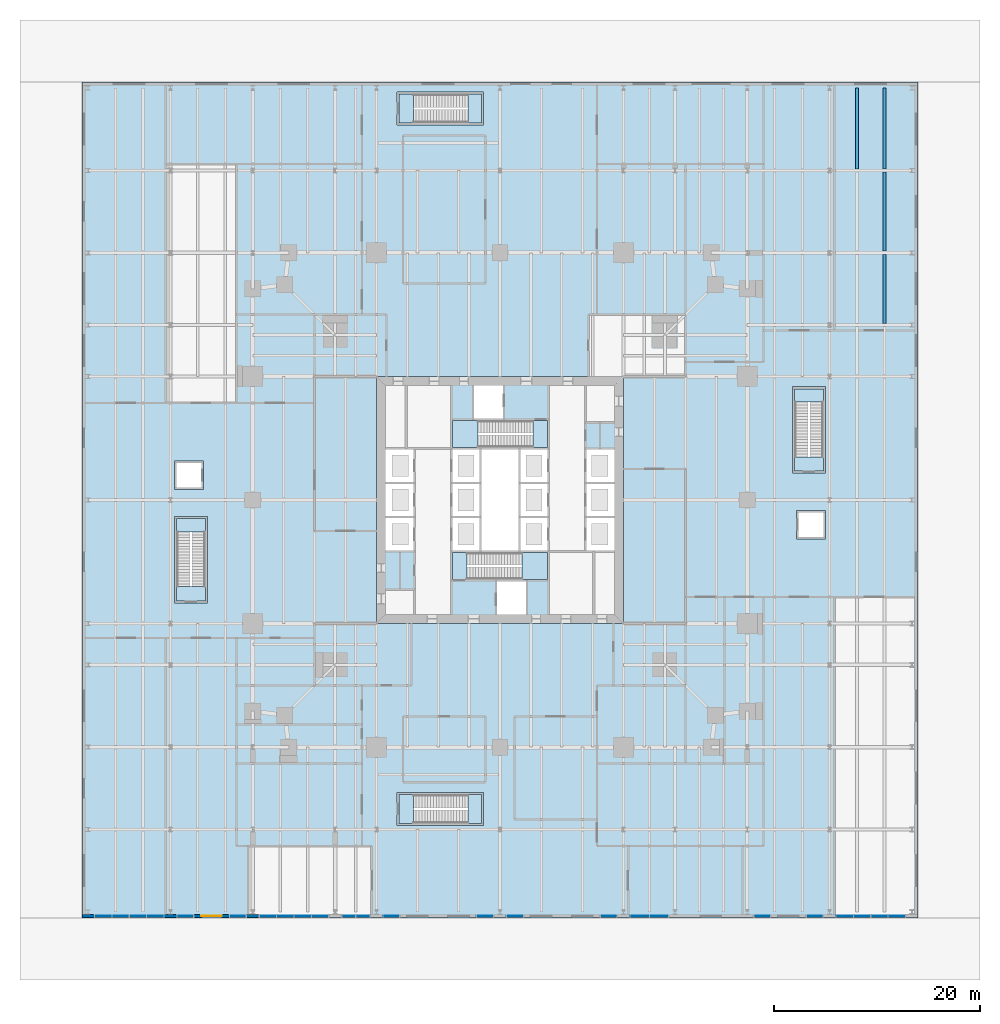
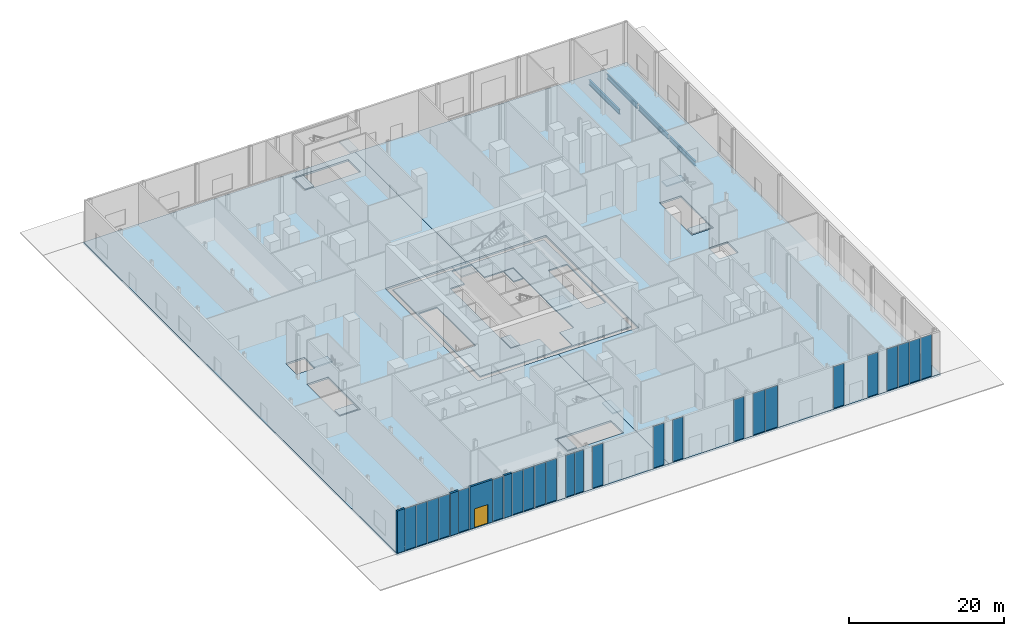
# One storey, part 10 of 20: 24 plates, 15 slabs, 4 beams, 4 walls, 1 door, 1 opening, 19 elements without a shape of their own.
"""IFC4 building model written with IfcOpenShell, lengths in metres."""

from ifc_helpers import new_model, si_unit, direction, frame, frame_2d, origin, origin_2d, place, context, subcontext, project, spatial, polyline, rectangle, i_section, outline, extrude, material, layer, layer_set, material_profile, profile_set, type_object, element, fill, aggregate, save


model = new_model("IFC4")

# Units and contexts
model_context = context("Model", 3, precision=1e-05, world=origin(), true_north=direction((0.0, 1.0)))
body_context = subcontext(model_context, "Body", "Model", "MODEL_VIEW")
ifc_project = project(units=[si_unit("LENGTHUNIT", "METRE"), si_unit("AREAUNIT", "SQUARE_METRE"), si_unit("VOLUMEUNIT", "CUBIC_METRE"), si_unit("PLANEANGLEUNIT", "RADIAN"), si_unit("MASSUNIT", "GRAM", prefix="KILO")], contexts=[model_context])

# Site, building, storey
site_placement = place(None, origin())
site = spatial("IfcSite", under=ifc_project, at=site_placement, CompositionType="ELEMENT")
building_placement = place(site_placement, origin())
building = spatial("IfcBuilding", under=site, at=building_placement, Name="Fenwick Lantern Interchange", CompositionType="ELEMENT")
storey_placement = place(building_placement, origin())
storey = spatial("IfcBuildingStorey", under=building, at=storey_placement, Name="L00", CompositionType="ELEMENT", Elevation=0.0)

# Beams
ifc_material_1 = material(Name="Steel ASTM A992 Grade 50", Category="steel")
ifc_material_profile = material_profile(ifc_material_1, i_section(OverallWidth=0.2666015625, OverallDepth=0.77978515625, WebThickness=0.0166015625, FlangeThickness=0.030029296875, at=origin_2d()), Name="W30X148")
ifc_profile_set = profile_set([ifc_material_profile], Name="Steel ASTM A992 Grade 50")
beam_type = type_object("IfcBeamType", Name="PODIUM BEAM W30X148", PredefinedType="JOIST", material=ifc_profile_set)
beam_1_placement = place(storey_placement, frame((62.333251953125, 42.15234375, -0.68994140625), z_axis=(0.0, 1.0, 0.0), x_axis=(-1.0, 0.0, 0.0)))
element("IfcBeam", 1, at=beam_1_placement, inside=storey, type_object=beam_type, Name="L00/PF/J214", PredefinedType="JOIST", context=body_context, shape_type="SweptSolid", body=[
    extrude(i_section(OverallWidth=0.2666015625, OverallDepth=0.77978515625, WebThickness=0.0166015625, FlangeThickness=0.030029296875, at=origin_2d()), origin(), (0.0, 0.0, 1.0), 6.6953125),
])
beam_2_placement = place(storey_placement, frame((62.333251953125, 49.15234375, -0.68994140625), z_axis=(0.0, 1.0, 0.0), x_axis=(-1.0, 0.0, 0.0)))
element("IfcBeam", 2, at=beam_2_placement, inside=storey, type_object=beam_type, Name="L00/PF/J216", PredefinedType="JOIST", context=body_context, shape_type="SweptSolid", body=[
    extrude(i_section(OverallWidth=0.2666015625, OverallDepth=0.77978515625, WebThickness=0.0166015625, FlangeThickness=0.030029296875, at=origin_2d()), origin(), (0.0, 0.0, 1.0), 7.6953125),
])
for number, where, z_axis, x_axis, name in (
    (3, (59.666748046875, 57.15234375, -0.68994140625), (0.0, 1.0, 0.0), (-1.0, 0.0, 0.0), "L00/PF/J217"),
    (4, (62.333251953125, 57.15234375, -0.68994140625), (0.0, 1.0, 0.0), (-1.0, 0.0, 0.0), "L00/PF/J218"),
):
    element("IfcBeam", number, at=place(storey_placement, frame(where, z_axis=z_axis, x_axis=x_axis)), inside=storey, type_object=beam_type, Name=name, PredefinedType="JOIST", context=body_context, shape_type="SweptSolid", body=[
        extrude(i_section(OverallWidth=0.2666015625, OverallDepth=0.77978515625, WebThickness=0.0166015625, FlangeThickness=0.030029296875, at=origin_2d()), origin(), (0.0, 0.0, 1.0), 7.84765625),
    ])

# Slabs
ifc_material_2 = material(Name="Concrete f'c 35 MPa", Category="concrete")
ifc_layer_1 = layer(ifc_material_2, 0.300048828125)
ifc_layer_set_1 = layer_set([ifc_layer_1], Name="Concrete f'c 35 MPa")
slab_type_1 = type_object("IfcSlabType", Name="CONCOURSE DECK 300", PredefinedType="FLOOR", material=ifc_layer_set_1)
slab_1_placement = place(storey_placement, frame((0.0, 0.0, -0.300048828125)))
element("IfcSlab", 5, at=slab_1_placement, inside=storey, type_object=slab_type_1, Name="L00/SLAB/FW", PredefinedType="FLOOR", context=body_context, shape_type="SweptSolid", body=[
    extrude(outline(polyline([(-15.60009765625, -15.60009765625), (-15.60009765625, 65.60009765625), (25.0, 65.60009765625), (25.0, 37.0), (13.0, 37.0), (13.0, 13.0), (25.0, 13.0), (25.0, -15.60009765625), (-15.60009765625, -15.60009765625)]), holes=[polyline([(23.39990234375, 61.39990234375), (23.39990234375, 64.60009765625), (15.0, 64.60009765625), (15.0, 61.39990234375), (23.39990234375, 61.39990234375)]), polyline([(23.39990234375, -6.60009765625), (23.39990234375, -3.39990234375), (15.0, -3.39990234375), (15.0, -6.60009765625), (23.39990234375, -6.60009765625)]), polyline([(-3.39990234375, 15.0), (-3.39990234375, 23.39990234375), (-6.60009765625, 23.39990234375), (-6.60009765625, 15.0), (-3.39990234375, 15.0)]), polyline([(-3.800048828125, 26.0), (-3.800048828125, 28.800048828125), (-6.60009765625, 28.800048828125), (-6.60009765625, 26.0), (-3.800048828125, 26.0)])]), origin(), (0.0, 0.0, 1.0), 0.300048828125),
])
slab_2_placement = place(storey_placement, frame((0.0, 0.0, -0.300048828125)))
element("IfcSlab", 6, at=slab_2_placement, inside=storey, type_object=slab_type_1, Name="L00/SLAB/FE", PredefinedType="FLOOR", context=body_context, shape_type="SweptSolid", body=[
    extrude(outline(polyline([(65.60009765625, 65.60009765625), (65.60009765625, -15.60009765625), (25.0, -15.60009765625), (25.0, 13.0), (37.0, 13.0), (37.0, 37.0), (25.0, 37.0), (25.0, 65.60009765625), (65.60009765625, 65.60009765625)]), holes=[polyline([(56.60009765625, 27.60009765625), (56.60009765625, 36.0), (53.39990234375, 36.0), (53.39990234375, 27.60009765625), (56.60009765625, 27.60009765625)]), polyline([(56.60009765625, 21.199951171875), (56.60009765625, 24.0), (53.800048828125, 24.0), (53.800048828125, 21.199951171875), (56.60009765625, 21.199951171875)])]), origin(), (0.0, 0.0, 1.0), 0.300048828125),
])
ifc_material_3 = material(Name="Concrete f'c 35 MPa", Category="concrete")
ifc_layer_2 = layer(ifc_material_3, 0.199951171875)
ifc_layer_set_2 = layer_set([ifc_layer_2], Name="CORE FLOOR SLAB 200")
slab_type_2 = type_object("IfcSlabType", Name="CORE FLOOR SLAB 200", PredefinedType="FLOOR", material=ifc_layer_set_2)
slab_3_placement = place(storey_placement, frame((0.0, 0.0, -0.199951171875)))
element("IfcSlab", 7, at=slab_3_placement, inside=storey, type_object=slab_type_2, Name="L00/SLAB/CORE", PredefinedType="FLOOR", context=body_context, shape_type="SweptSolid", body=[
    extrude(outline(polyline([(13.699951171875, 36.300048828125), (36.300048828125, 36.300048828125), (36.300048828125, 13.699951171875), (13.699951171875, 13.699951171875), (13.699951171875, 36.300048828125)]), holes=[polyline([(13.89990234375, 20.0), (16.699951171875, 20.0), (16.699951171875, 23.333251953125), (16.699951171875, 26.666748046875), (16.699951171875, 30.0), (13.89990234375, 30.0), (13.89990234375, 26.666748046875), (13.89990234375, 23.333251953125), (13.89990234375, 20.0)]), polyline([(20.300048828125, 20.0), (20.300048828125, 17.199951171875), (24.60009765625, 17.199951171875), (24.60009765625, 13.89990234375), (27.60009765625, 13.89990234375), (27.60009765625, 17.199951171875), (29.699951171875, 17.199951171875), (29.699951171875, 20.0), (29.699951171875, 23.333251953125), (29.699951171875, 26.666748046875), (29.699951171875, 30.0), (29.699951171875, 32.800048828125), (25.39990234375, 32.800048828125), (25.39990234375, 36.10009765625), (22.39990234375, 36.10009765625), (22.39990234375, 32.800048828125), (20.300048828125, 32.800048828125), (20.300048828125, 30.0), (20.300048828125, 26.666748046875), (20.300048828125, 23.333251953125), (20.300048828125, 20.0)]), polyline([(33.300048828125, 23.333251953125), (33.300048828125, 20.0), (36.10009765625, 20.0), (36.10009765625, 23.333251953125), (36.10009765625, 26.666748046875), (36.10009765625, 30.0), (33.300048828125, 30.0), (33.300048828125, 26.666748046875), (33.300048828125, 23.333251953125)])]), origin(), (0.0, 0.0, 1.0), 0.199951171875),
])

# Stair, slabs
ifc_material_4 = material(Name="Precast concrete f'c 35 MPa", Category="concrete")
stair_type_1 = type_object("IfcStairType", Name="EXIT STAIR 1200", PredefinedType="HALF_TURN_STAIR", material=ifc_material_4)
stair_1_placement = place(storey_placement, origin())
stair_1 = element("IfcStair", 8, at=stair_1_placement, inside=storey, type_object=stair_type_1, Name="Exit stair ST1", PredefinedType="HALF_TURN_STAIR")
ifc_layer_3 = layer(ifc_material_3, 0.199951171875)
ifc_layer_set_3 = layer_set([ifc_layer_3], Name="STAIR LANDING 200")
slab_type_3 = type_object("IfcSlabType", Name="STAIR LANDING 200", PredefinedType="LANDING", material=ifc_layer_set_3)
slab_4_placement = place(storey_placement, frame((0.0, 0.0, 3.300048828125)))
slab_4 = element("IfcSlab", 9, at=slab_4_placement, type_object=slab_type_3, Name="ST1 landing 1", PredefinedType="LANDING", context=body_context, shape_type="SweptSolid", body=[
    extrude(outline(polyline([(27.1201171875, 17.300048828125), (29.60009765625, 17.300048828125), (29.60009765625, 19.89990234375), (27.1201171875, 19.89990234375), (27.1201171875, 17.300048828125)])), origin(), (0.0, 0.0, 1.0), 0.199951171875),
])
slab_5_placement = place(storey_placement, frame((0.0, 0.0, -0.199951171875)))
slab_5 = element("IfcSlab", 10, at=slab_5_placement, type_object=slab_type_3, Name="ST1 landing 2", PredefinedType="LANDING", context=body_context, shape_type="SweptSolid", body=[
    extrude(outline(polyline([(20.39990234375, 17.300048828125), (21.800048828125, 17.300048828125), (21.800048828125, 19.89990234375), (20.39990234375, 19.89990234375), (20.39990234375, 17.300048828125)])), origin(), (0.0, 0.0, 1.0), 0.199951171875),
])
aggregate(stair_1, [slab_4, slab_5])

stair_2_placement = place(storey_placement, origin())
stair_2 = element("IfcStair", 11, at=stair_2_placement, inside=storey, type_object=stair_type_1, Name="Exit stair ST2", PredefinedType="HALF_TURN_STAIR")
slab_6_placement = place(storey_placement, frame((0.0, 0.0, 3.300048828125)))
slab_6 = element("IfcSlab", 12, at=slab_6_placement, type_object=slab_type_3, Name="ST2 landing 1", PredefinedType="LANDING", context=body_context, shape_type="SweptSolid", body=[
    extrude(outline(polyline([(22.8798828125, 32.699951171875), (20.39990234375, 32.699951171875), (20.39990234375, 30.10009765625), (22.8798828125, 30.10009765625), (22.8798828125, 32.699951171875)])), origin(), (0.0, 0.0, 1.0), 0.199951171875),
])
slab_7_placement = place(storey_placement, frame((0.0, 0.0, -0.199951171875)))
slab_7 = element("IfcSlab", 13, at=slab_7_placement, type_object=slab_type_3, Name="ST2 landing 2", PredefinedType="LANDING", context=body_context, shape_type="SweptSolid", body=[
    extrude(outline(polyline([(29.60009765625, 32.699951171875), (28.199951171875, 32.699951171875), (28.199951171875, 30.10009765625), (29.60009765625, 30.10009765625), (29.60009765625, 32.699951171875)])), origin(), (0.0, 0.0, 1.0), 0.199951171875),
])
aggregate(stair_2, [slab_6, slab_7])

stair_type_2 = type_object("IfcStairType", Name="EXIT STAIR 1300", PredefinedType="HALF_TURN_STAIR", material=ifc_material_4)
stair_3_placement = place(storey_placement, origin())
stair_3 = element("IfcStair", 14, at=stair_3_placement, inside=storey, type_object=stair_type_2, Name="Exit stair PS1", PredefinedType="HALF_TURN_STAIR")
slab_8_placement = place(storey_placement, frame((0.0, 0.0, 3.300048828125)))
slab_8 = element("IfcSlab", 15, at=slab_8_placement, type_object=slab_type_3, Name="PS1 landing 1", PredefinedType="LANDING", context=body_context, shape_type="SweptSolid", body=[
    extrude(outline(polyline([(21.89990234375, 61.60009765625), (23.199951171875, 61.60009765625), (23.199951171875, 64.39990234375), (21.89990234375, 64.39990234375), (21.89990234375, 61.60009765625)])), origin(), (0.0, 0.0, 1.0), 0.199951171875),
])
slab_9_placement = place(storey_placement, frame((0.0, 0.0, -0.199951171875)))
slab_9 = element("IfcSlab", 16, at=slab_9_placement, type_object=slab_type_3, Name="PS1 landing 2", PredefinedType="LANDING", context=body_context, shape_type="SweptSolid", body=[
    extrude(outline(polyline([(15.199951171875, 61.60009765625), (16.580078125, 61.60009765625), (16.580078125, 64.39990234375), (15.199951171875, 64.39990234375), (15.199951171875, 61.60009765625)])), origin(), (0.0, 0.0, 1.0), 0.199951171875),
])
aggregate(stair_3, [slab_8, slab_9])

stair_4_placement = place(storey_placement, origin())
stair_4 = element("IfcStair", 17, at=stair_4_placement, inside=storey, type_object=stair_type_2, Name="Exit stair PS2", PredefinedType="HALF_TURN_STAIR")
slab_10_placement = place(storey_placement, frame((0.0, 0.0, 3.300048828125)))
slab_10 = element("IfcSlab", 18, at=slab_10_placement, type_object=slab_type_3, Name="PS2 landing 1", PredefinedType="LANDING", context=body_context, shape_type="SweptSolid", body=[
    extrude(outline(polyline([(21.89990234375, -6.39990234375), (23.199951171875, -6.39990234375), (23.199951171875, -3.60009765625), (21.89990234375, -3.60009765625), (21.89990234375, -6.39990234375)])), origin(), (0.0, 0.0, 1.0), 0.199951171875),
])
slab_11_placement = place(storey_placement, frame((0.0, 0.0, -0.199951171875)))
slab_11 = element("IfcSlab", 19, at=slab_11_placement, type_object=slab_type_3, Name="PS2 landing 2", PredefinedType="LANDING", context=body_context, shape_type="SweptSolid", body=[
    extrude(outline(polyline([(15.199951171875, -6.39990234375), (16.580078125, -6.39990234375), (16.580078125, -3.60009765625), (15.199951171875, -3.60009765625), (15.199951171875, -6.39990234375)])), origin(), (0.0, 0.0, 1.0), 0.199951171875),
])
aggregate(stair_4, [slab_10, slab_11])

stair_5_placement = place(storey_placement, origin())
stair_5 = element("IfcStair", 20, at=stair_5_placement, inside=storey, type_object=stair_type_2, Name="Exit stair PS3", PredefinedType="HALF_TURN_STAIR")
slab_12_placement = place(storey_placement, frame((0.0, 0.0, 3.300048828125)))
slab_12 = element("IfcSlab", 21, at=slab_12_placement, type_object=slab_type_3, Name="PS3 landing 1", PredefinedType="LANDING", context=body_context, shape_type="SweptSolid", body=[
    extrude(outline(polyline([(-6.39990234375, 21.89990234375), (-3.60009765625, 21.89990234375), (-3.60009765625, 23.199951171875), (-6.39990234375, 23.199951171875), (-6.39990234375, 21.89990234375)])), origin(), (0.0, 0.0, 1.0), 0.199951171875),
])
slab_13_placement = place(storey_placement, frame((0.0, 0.0, -0.199951171875)))
slab_13 = element("IfcSlab", 22, at=slab_13_placement, type_object=slab_type_3, Name="PS3 landing 2", PredefinedType="LANDING", context=body_context, shape_type="SweptSolid", body=[
    extrude(outline(polyline([(-6.39990234375, 15.199951171875), (-3.60009765625, 15.199951171875), (-3.60009765625, 16.580078125), (-6.39990234375, 16.580078125), (-6.39990234375, 15.199951171875)])), origin(), (0.0, 0.0, 1.0), 0.199951171875),
])
aggregate(stair_5, [slab_12, slab_13])

stair_6_placement = place(storey_placement, origin())
stair_6 = element("IfcStair", 23, at=stair_6_placement, inside=storey, type_object=stair_type_2, Name="Exit stair PS4", PredefinedType="HALF_TURN_STAIR")
slab_14_placement = place(storey_placement, frame((0.0, 0.0, 3.300048828125)))
slab_14 = element("IfcSlab", 24, at=slab_14_placement, type_object=slab_type_3, Name="PS4 landing 1", PredefinedType="LANDING", context=body_context, shape_type="SweptSolid", body=[
    extrude(outline(polyline([(53.60009765625, 34.5), (56.39990234375, 34.5), (56.39990234375, 35.800048828125), (53.60009765625, 35.800048828125), (53.60009765625, 34.5)])), origin(), (0.0, 0.0, 1.0), 0.199951171875),
])
slab_15_placement = place(storey_placement, frame((0.0, 0.0, -0.199951171875)))
slab_15 = element("IfcSlab", 25, at=slab_15_placement, type_object=slab_type_3, Name="PS4 landing 2", PredefinedType="LANDING", context=body_context, shape_type="SweptSolid", body=[
    extrude(outline(polyline([(53.60009765625, 27.800048828125), (56.39990234375, 27.800048828125), (56.39990234375, 29.179931640625), (53.60009765625, 29.179931640625), (53.60009765625, 27.800048828125)])), origin(), (0.0, 0.0, 1.0), 0.199951171875),
])
aggregate(stair_6, [slab_14, slab_15])

# Curtain wall, plates
ifc_material_5 = material(Name="Aluminium curtain wall frame", Category="aluminium")
curtain_wall_type = type_object("IfcCurtainWallType", Name="STOREFRONT GLAZING", PredefinedType="USERDEFINED", material=ifc_material_5)
curtain_wall_1_placement = place(storey_placement, origin())
curtain_wall_1 = element("IfcCurtainWall", 26, at=curtain_wall_1_placement, inside=storey, type_object=curtain_wall_type, Name="Storefront glazing S01", ObjectType="STOREFRONT GLAZING", PredefinedType="USERDEFINED")
ifc_material_6 = material(Name="Storefront glass, clear laminated double glazed unit", Category="glass")
ifc_layer_4 = layer(ifc_material_6, 0.0439453125)
ifc_layer_set_4 = layer_set([ifc_layer_4], Name="STOREFRONT GLAZING PANEL 44")
plate_type = type_object("IfcPlateType", Name="STOREFRONT GLAZING PANEL 44", PredefinedType="CURTAIN_PANEL", material=ifc_layer_set_4)
plate_1_placement = place(storey_placement, frame((-13.525634765625, -15.39990234375, 0.0), z_axis=(0.0, 0.0, 1.0), x_axis=(1.0, 0.0, 0.0)))
plate_1 = element("IfcPlate", 27, at=plate_1_placement, type_object=plate_type, Name="L00/CW/S01/P00", PredefinedType="CURTAIN_PANEL", context=body_context, shape_type="SweptSolid", body=[
    extrude(rectangle(XDim=1.61865234375, YDim=0.0439453125, at=origin_2d()), origin(), (0.0, 0.0, 1.0), 6.580078125),
])
plate_2_placement = place(storey_placement, frame((-11.841796875, -15.39990234375, 0.0), z_axis=(0.0, 0.0, 1.0), x_axis=(1.0, 0.0, 0.0)))
plate_2 = element("IfcPlate", 28, at=plate_2_placement, type_object=plate_type, Name="L00/CW/S01/P01", PredefinedType="CURTAIN_PANEL", context=body_context, shape_type="SweptSolid", body=[
    extrude(rectangle(XDim=1.61865234375, YDim=0.0439453125, at=origin_2d()), origin(), (0.0, 0.0, 1.0), 6.580078125),
])
plate_3_placement = place(storey_placement, frame((-10.158203125, -15.39990234375, 0.0), z_axis=(0.0, 0.0, 1.0), x_axis=(1.0, 0.0, 0.0)))
plate_3 = element("IfcPlate", 29, at=plate_3_placement, type_object=plate_type, Name="L00/CW/S01/P02", PredefinedType="CURTAIN_PANEL", context=body_context, shape_type="SweptSolid", body=[
    extrude(rectangle(XDim=1.61865234375, YDim=0.0439453125, at=origin_2d()), origin(), (0.0, 0.0, 1.0), 6.580078125),
])
plate_4_placement = place(storey_placement, frame((-8.474365234375, -15.39990234375, 0.0), z_axis=(0.0, 0.0, 1.0), x_axis=(1.0, 0.0, 0.0)))
plate_4 = element("IfcPlate", 30, at=plate_4_placement, type_object=plate_type, Name="L00/CW/S01/P03", PredefinedType="CURTAIN_PANEL", context=body_context, shape_type="SweptSolid", body=[
    extrude(rectangle(XDim=1.61865234375, YDim=0.0439453125, at=origin_2d()), origin(), (0.0, 0.0, 1.0), 6.580078125),
])
aggregate(curtain_wall_1, [plate_1, plate_2, plate_3, plate_4])

# Curtain wall, plate
curtain_wall_2_placement = place(storey_placement, origin())
curtain_wall_2 = element("IfcCurtainWall", 31, at=curtain_wall_2_placement, inside=storey, type_object=curtain_wall_type, Name="Storefront glazing S02", ObjectType="STOREFRONT GLAZING", PredefinedType="USERDEFINED")
plate_5_placement = place(storey_placement, frame((-5.550048828125, -15.39990234375, 0.0), z_axis=(0.0, 0.0, 1.0), x_axis=(1.0, 0.0, 0.0)))
plate_5 = element("IfcPlate", 32, at=plate_5_placement, type_object=plate_type, Name="L00/CW/S02/P00", PredefinedType="CURTAIN_PANEL", context=body_context, shape_type="SweptSolid", body=[
    extrude(rectangle(XDim=1.570068359375, YDim=0.0439453125, at=origin_2d()), origin(), (0.0, 0.0, 1.0), 6.580078125),
])
aggregate(curtain_wall_2, [plate_5])

curtain_wall_3_placement = place(storey_placement, origin())
curtain_wall_3 = element("IfcCurtainWall", 33, at=curtain_wall_3_placement, inside=storey, type_object=curtain_wall_type, Name="Storefront glazing S03", ObjectType="STOREFRONT GLAZING", PredefinedType="USERDEFINED")
plate_6_placement = place(storey_placement, frame((-0.449951171875, -15.39990234375, 0.0), z_axis=(0.0, 0.0, 1.0), x_axis=(1.0, 0.0, 0.0)))
plate_6 = element("IfcPlate", 34, at=plate_6_placement, type_object=plate_type, Name="L00/CW/S03/P00", PredefinedType="CURTAIN_PANEL", context=body_context, shape_type="SweptSolid", body=[
    extrude(rectangle(XDim=1.570068359375, YDim=0.0439453125, at=origin_2d()), origin(), (0.0, 0.0, 1.0), 6.580078125),
])
aggregate(curtain_wall_3, [plate_6])

# Curtain wall, plates
curtain_wall_4_placement = place(storey_placement, origin())
curtain_wall_4 = element("IfcCurtainWall", 35, at=curtain_wall_4_placement, inside=storey, type_object=curtain_wall_type, Name="Storefront glazing S04", ObjectType="STOREFRONT GLAZING", PredefinedType="USERDEFINED")
plate_7_placement = place(storey_placement, frame((2.474365234375, -15.39990234375, 0.0), z_axis=(0.0, 0.0, 1.0), x_axis=(1.0, 0.0, 0.0)))
plate_7 = element("IfcPlate", 36, at=plate_7_placement, type_object=plate_type, Name="L00/CW/S04/P00", PredefinedType="CURTAIN_PANEL", context=body_context, shape_type="SweptSolid", body=[
    extrude(rectangle(XDim=1.61865234375, YDim=0.0439453125, at=origin_2d()), origin(), (0.0, 0.0, 1.0), 6.580078125),
])
plate_8_placement = place(storey_placement, frame((4.158203125, -15.39990234375, 0.0), z_axis=(0.0, 0.0, 1.0), x_axis=(1.0, 0.0, 0.0)))
plate_8 = element("IfcPlate", 37, at=plate_8_placement, type_object=plate_type, Name="L00/CW/S04/P01", PredefinedType="CURTAIN_PANEL", context=body_context, shape_type="SweptSolid", body=[
    extrude(rectangle(XDim=1.61865234375, YDim=0.0439453125, at=origin_2d()), origin(), (0.0, 0.0, 1.0), 6.580078125),
])
plate_9_placement = place(storey_placement, frame((5.841796875, -15.39990234375, 0.0), z_axis=(0.0, 0.0, 1.0), x_axis=(1.0, 0.0, 0.0)))
plate_9 = element("IfcPlate", 38, at=plate_9_placement, type_object=plate_type, Name="L00/CW/S04/P02", PredefinedType="CURTAIN_PANEL", context=body_context, shape_type="SweptSolid", body=[
    extrude(rectangle(XDim=1.61865234375, YDim=0.0439453125, at=origin_2d()), origin(), (0.0, 0.0, 1.0), 6.580078125),
])
plate_10_placement = place(storey_placement, frame((7.525634765625, -15.39990234375, 0.0), z_axis=(0.0, 0.0, 1.0), x_axis=(1.0, 0.0, 0.0)))
plate_10 = element("IfcPlate", 39, at=plate_10_placement, type_object=plate_type, Name="L00/CW/S04/P03", PredefinedType="CURTAIN_PANEL", context=body_context, shape_type="SweptSolid", body=[
    extrude(rectangle(XDim=1.61865234375, YDim=0.0439453125, at=origin_2d()), origin(), (0.0, 0.0, 1.0), 6.580078125),
])
aggregate(curtain_wall_4, [plate_7, plate_8, plate_9, plate_10])

curtain_wall_5_placement = place(storey_placement, origin())
curtain_wall_5 = element("IfcCurtainWall", 40, at=curtain_wall_5_placement, inside=storey, type_object=curtain_wall_type, Name="Storefront glazing S05", ObjectType="STOREFRONT GLAZING", PredefinedType="USERDEFINED")
plate_11_placement = place(storey_placement, frame((10.316162109375, -15.39990234375, 0.0), z_axis=(0.0, 0.0, 1.0), x_axis=(1.0, 0.0, 0.0)))
plate_11 = element("IfcPlate", 41, at=plate_11_placement, type_object=plate_type, Name="L00/CW/S05/P00", PredefinedType="CURTAIN_PANEL", context=body_context, shape_type="SweptSolid", body=[
    extrude(rectangle(XDim=1.302490234375, YDim=0.0439453125, at=origin_2d()), origin(), (0.0, 0.0, 1.0), 6.580078125),
])
plate_12_placement = place(storey_placement, frame((11.683837890625, -15.39990234375, 0.0), z_axis=(0.0, 0.0, 1.0), x_axis=(1.0, 0.0, 0.0)))
plate_12 = element("IfcPlate", 42, at=plate_12_placement, type_object=plate_type, Name="L00/CW/S05/P01", PredefinedType="CURTAIN_PANEL", context=body_context, shape_type="SweptSolid", body=[
    extrude(rectangle(XDim=1.302490234375, YDim=0.0439453125, at=origin_2d()), origin(), (0.0, 0.0, 1.0), 6.580078125),
])
aggregate(curtain_wall_5, [plate_11, plate_12])

# Curtain wall, plate
curtain_wall_6_placement = place(storey_placement, origin())
curtain_wall_6 = element("IfcCurtainWall", 43, at=curtain_wall_6_placement, inside=storey, type_object=curtain_wall_type, Name="Storefront glazing S06", ObjectType="STOREFRONT GLAZING", PredefinedType="USERDEFINED")
plate_13_placement = place(storey_placement, frame((14.449951171875, -15.39990234375, 0.0), z_axis=(0.0, 0.0, 1.0), x_axis=(1.0, 0.0, 0.0)))
plate_13 = element("IfcPlate", 44, at=plate_13_placement, type_object=plate_type, Name="L00/CW/S06/P00", PredefinedType="CURTAIN_PANEL", context=body_context, shape_type="SweptSolid", body=[
    extrude(rectangle(XDim=1.570068359375, YDim=0.0439453125, at=origin_2d()), origin(), (0.0, 0.0, 1.0), 6.580078125),
])
aggregate(curtain_wall_6, [plate_13])

curtain_wall_7_placement = place(storey_placement, origin())
curtain_wall_7 = element("IfcCurtainWall", 45, at=curtain_wall_7_placement, inside=storey, type_object=curtain_wall_type, Name="Storefront glazing S07", ObjectType="STOREFRONT GLAZING", PredefinedType="USERDEFINED")
plate_14_placement = place(storey_placement, frame((23.550048828125, -15.39990234375, 0.0), z_axis=(0.0, 0.0, 1.0), x_axis=(1.0, 0.0, 0.0)))
plate_14 = element("IfcPlate", 46, at=plate_14_placement, type_object=plate_type, Name="L00/CW/S07/P00", PredefinedType="CURTAIN_PANEL", context=body_context, shape_type="SweptSolid", body=[
    extrude(rectangle(XDim=1.570068359375, YDim=0.0439453125, at=origin_2d()), origin(), (0.0, 0.0, 1.0), 6.580078125),
])
aggregate(curtain_wall_7, [plate_14])

curtain_wall_8_placement = place(storey_placement, origin())
curtain_wall_8 = element("IfcCurtainWall", 47, at=curtain_wall_8_placement, inside=storey, type_object=curtain_wall_type, Name="Storefront glazing S08", ObjectType="STOREFRONT GLAZING", PredefinedType="USERDEFINED")
plate_15_placement = place(storey_placement, frame((26.449951171875, -15.39990234375, 0.0), z_axis=(0.0, 0.0, 1.0), x_axis=(1.0, 0.0, 0.0)))
plate_15 = element("IfcPlate", 48, at=plate_15_placement, type_object=plate_type, Name="L00/CW/S08/P00", PredefinedType="CURTAIN_PANEL", context=body_context, shape_type="SweptSolid", body=[
    extrude(rectangle(XDim=1.570068359375, YDim=0.0439453125, at=origin_2d()), origin(), (0.0, 0.0, 1.0), 6.580078125),
])
aggregate(curtain_wall_8, [plate_15])

curtain_wall_9_placement = place(storey_placement, origin())
curtain_wall_9 = element("IfcCurtainWall", 49, at=curtain_wall_9_placement, inside=storey, type_object=curtain_wall_type, Name="Storefront glazing S09", ObjectType="STOREFRONT GLAZING", PredefinedType="USERDEFINED")
plate_16_placement = place(storey_placement, frame((35.550048828125, -15.39990234375, 0.0), z_axis=(0.0, 0.0, 1.0), x_axis=(1.0, 0.0, 0.0)))
plate_16 = element("IfcPlate", 50, at=plate_16_placement, type_object=plate_type, Name="L00/CW/S09/P00", PredefinedType="CURTAIN_PANEL", context=body_context, shape_type="SweptSolid", body=[
    extrude(rectangle(XDim=1.570068359375, YDim=0.0439453125, at=origin_2d()), origin(), (0.0, 0.0, 1.0), 6.580078125),
])
aggregate(curtain_wall_9, [plate_16])

# Curtain wall, plates
curtain_wall_10_placement = place(storey_placement, origin())
curtain_wall_10 = element("IfcCurtainWall", 51, at=curtain_wall_10_placement, inside=storey, type_object=curtain_wall_type, Name="Storefront glazing S10", ObjectType="STOREFRONT GLAZING", PredefinedType="USERDEFINED")
plate_17_placement = place(storey_placement, frame((38.566162109375, -15.39990234375, 0.0), z_axis=(0.0, 0.0, 1.0), x_axis=(1.0, 0.0, 0.0)))
plate_17 = element("IfcPlate", 52, at=plate_17_placement, type_object=plate_type, Name="L00/CW/S10/P00", PredefinedType="CURTAIN_PANEL", context=body_context, shape_type="SweptSolid", body=[
    extrude(rectangle(XDim=1.802490234375, YDim=0.0439453125, at=origin_2d()), origin(), (0.0, 0.0, 1.0), 6.580078125),
])
plate_18_placement = place(storey_placement, frame((40.433837890625, -15.39990234375, 0.0), z_axis=(0.0, 0.0, 1.0), x_axis=(1.0, 0.0, 0.0)))
plate_18 = element("IfcPlate", 53, at=plate_18_placement, type_object=plate_type, Name="L00/CW/S10/P01", PredefinedType="CURTAIN_PANEL", context=body_context, shape_type="SweptSolid", body=[
    extrude(rectangle(XDim=1.802490234375, YDim=0.0439453125, at=origin_2d()), origin(), (0.0, 0.0, 1.0), 6.580078125),
])
aggregate(curtain_wall_10, [plate_17, plate_18])

# Curtain wall, plate
curtain_wall_11_placement = place(storey_placement, origin())
curtain_wall_11 = element("IfcCurtainWall", 54, at=curtain_wall_11_placement, inside=storey, type_object=curtain_wall_type, Name="Storefront glazing S11", ObjectType="STOREFRONT GLAZING", PredefinedType="USERDEFINED")
plate_19_placement = place(storey_placement, frame((50.449951171875, -15.39990234375, 0.0), z_axis=(0.0, 0.0, 1.0), x_axis=(1.0, 0.0, 0.0)))
plate_19 = element("IfcPlate", 55, at=plate_19_placement, type_object=plate_type, Name="L00/CW/S11/P00", PredefinedType="CURTAIN_PANEL", context=body_context, shape_type="SweptSolid", body=[
    extrude(rectangle(XDim=1.570068359375, YDim=0.0439453125, at=origin_2d()), origin(), (0.0, 0.0, 1.0), 6.580078125),
])
aggregate(curtain_wall_11, [plate_19])

curtain_wall_12_placement = place(storey_placement, origin())
curtain_wall_12 = element("IfcCurtainWall", 56, at=curtain_wall_12_placement, inside=storey, type_object=curtain_wall_type, Name="Storefront glazing S12", ObjectType="STOREFRONT GLAZING", PredefinedType="USERDEFINED")
plate_20_placement = place(storey_placement, frame((55.550048828125, -15.39990234375, 0.0), z_axis=(0.0, 0.0, 1.0), x_axis=(1.0, 0.0, 0.0)))
plate_20 = element("IfcPlate", 57, at=plate_20_placement, type_object=plate_type, Name="L00/CW/S12/P00", PredefinedType="CURTAIN_PANEL", context=body_context, shape_type="SweptSolid", body=[
    extrude(rectangle(XDim=1.570068359375, YDim=0.0439453125, at=origin_2d()), origin(), (0.0, 0.0, 1.0), 6.580078125),
])
aggregate(curtain_wall_12, [plate_20])

# Curtain wall, plates
curtain_wall_13_placement = place(storey_placement, origin())
curtain_wall_13 = element("IfcCurtainWall", 58, at=curtain_wall_13_placement, inside=storey, type_object=curtain_wall_type, Name="Storefront glazing S13", ObjectType="STOREFRONT GLAZING", PredefinedType="USERDEFINED")
plate_21_placement = place(storey_placement, frame((58.474365234375, -15.39990234375, 0.0), z_axis=(0.0, 0.0, 1.0), x_axis=(1.0, 0.0, 0.0)))
plate_21 = element("IfcPlate", 59, at=plate_21_placement, type_object=plate_type, Name="L00/CW/S13/P00", PredefinedType="CURTAIN_PANEL", context=body_context, shape_type="SweptSolid", body=[
    extrude(rectangle(XDim=1.61865234375, YDim=0.0439453125, at=origin_2d()), origin(), (0.0, 0.0, 1.0), 6.580078125),
])
plate_22_placement = place(storey_placement, frame((60.158203125, -15.39990234375, 0.0), z_axis=(0.0, 0.0, 1.0), x_axis=(1.0, 0.0, 0.0)))
plate_22 = element("IfcPlate", 60, at=plate_22_placement, type_object=plate_type, Name="L00/CW/S13/P01", PredefinedType="CURTAIN_PANEL", context=body_context, shape_type="SweptSolid", body=[
    extrude(rectangle(XDim=1.61865234375, YDim=0.0439453125, at=origin_2d()), origin(), (0.0, 0.0, 1.0), 6.580078125),
])
plate_23_placement = place(storey_placement, frame((61.841796875, -15.39990234375, 0.0), z_axis=(0.0, 0.0, 1.0), x_axis=(1.0, 0.0, 0.0)))
plate_23 = element("IfcPlate", 61, at=plate_23_placement, type_object=plate_type, Name="L00/CW/S13/P02", PredefinedType="CURTAIN_PANEL", context=body_context, shape_type="SweptSolid", body=[
    extrude(rectangle(XDim=1.61865234375, YDim=0.0439453125, at=origin_2d()), origin(), (0.0, 0.0, 1.0), 6.580078125),
])
plate_24_placement = place(storey_placement, frame((63.525634765625, -15.39990234375, 0.0), z_axis=(0.0, 0.0, 1.0), x_axis=(1.0, 0.0, 0.0)))
plate_24 = element("IfcPlate", 62, at=plate_24_placement, type_object=plate_type, Name="L00/CW/S13/P03", PredefinedType="CURTAIN_PANEL", context=body_context, shape_type="SweptSolid", body=[
    extrude(rectangle(XDim=1.61865234375, YDim=0.0439453125, at=origin_2d()), origin(), (0.0, 0.0, 1.0), 6.580078125),
])
aggregate(curtain_wall_13, [plate_21, plate_22, plate_23, plate_24])

# Walls
ifc_material_7 = material(Name="Limestone ASTM C568 Classification II", Category="masonry")
ifc_layer_5 = layer(ifc_material_7, 0.074951171875)
ifc_material_8 = material(Name="Mineral wool insulation")
ifc_layer_6 = layer(ifc_material_8, 0.125)
ifc_material_9 = material(Name="Cold-formed galvanised steel studs", Category="steel")
ifc_layer_7 = layer(ifc_material_9, 0.10009765625)
ifc_layer_set_5 = layer_set([ifc_layer_5, ifc_layer_6, ifc_layer_7], Name="Limestone ASTM C568 Classification II")
wall_type = type_object("IfcWallType", Name="LIMESTONE RAINSCREEN WALL 300", PredefinedType="SOLIDWALL", material=ifc_layer_set_5)
wall_1_placement = place(storey_placement, frame((-15.550048828125, -15.39990234375, 0.0), z_axis=(0.0, 0.0, 1.0), x_axis=(1.0, 0.0, 0.0)))
element("IfcWall", 63, at=wall_1_placement, inside=storey, type_object=wall_type, Name="L00/EW/S01", PredefinedType="SOLIDWALL", context=body_context, shape_type="SweptSolid", body=[
    extrude(rectangle(XDim=1.150146484375, YDim=0.300048828125, at=frame_2d((0.5751953125, 0.0))), origin(), (0.0, 0.0, 1.0), 6.699951171875),
])
wall_2_placement = place(storey_placement, frame((-7.60009765625, -15.39990234375, 0.0), z_axis=(0.0, 0.0, 1.0), x_axis=(1.0, 0.0, 0.0)))
element("IfcWall", 64, at=wall_2_placement, inside=storey, type_object=wall_type, Name="L00/EW/S02", PredefinedType="SOLIDWALL", context=body_context, shape_type="SweptSolid", body=[
    extrude(rectangle(XDim=1.2001953125, YDim=0.300048828125, at=frame_2d((0.60009765625, 0.0))), origin(), (0.0, 0.0, 1.0), 6.699951171875),
])

# Wall, opening, door
wall_3_placement = place(storey_placement, frame((-4.699951171875, -15.39990234375, 0.0), z_axis=(0.0, 0.0, 1.0), x_axis=(1.0, 0.0, 0.0)))
wall_3 = element("IfcWall", 65, at=wall_3_placement, inside=storey, type_object=wall_type, Name="L00/EW/S03", PredefinedType="SOLIDWALL", context=body_context, shape_type="SweptSolid", body=[
    extrude(rectangle(XDim=3.39990234375, YDim=0.300048828125, at=frame_2d((1.699951171875, 0.0))), origin(), (0.0, 0.0, 1.0), 6.699951171875),
])
opening_placement = place(wall_3_placement, frame((0.699951171875, 0.0, 0.0)))
opening = element("IfcOpeningElement", 66, at=opening_placement, cuts=wall_3, Name="Opening L00-D001", PredefinedType="OPENING", context=body_context, shape_type="SweptSolid", body=[
    extrude(rectangle(XDim=2.0, YDim=3.0, at=frame_2d((1.0, 1.5))), frame((0.0, 0.159912109375, 0.0), z_axis=(0.0, -1.0, 0.0), x_axis=(1.0, 0.0, 0.0)), (0.0, 0.0, 1.0), 0.320068359375),
])
ifc_material_10 = material(Name="Aluminium glazed door", Category="aluminium")
door_type = type_object("IfcDoorType", Name="CONCOURSE ENTRANCE DOOR PAIR 2000 X 3000", OperationType="DOUBLE_DOOR_SINGLE_SWING", PredefinedType="DOOR", material=ifc_material_10)
door_placement = place(opening_placement, frame((2.0, 0.0, 0.0), z_axis=(0.0, 0.0, 1.0), x_axis=(-1.0, 0.0, 0.0)))
door = element("IfcDoor", 67, at=door_placement, inside=storey, type_object=door_type, Name="Concourse entrance door pair", OperationType="DOUBLE_DOOR_SINGLE_SWING", OverallHeight=3.0, OverallWidth=2.0, PredefinedType="DOOR", context=body_context, shape_type="SweptSolid", body=[
    extrude(rectangle(XDim=2.0, YDim=3.0, at=frame_2d((1.0, 1.5))), frame((0.0, 0.02490234375, 0.0), z_axis=(0.0, -1.0, 0.0), x_axis=(1.0, 0.0, 0.0)), (0.0, 0.0, 1.0), 0.050048828125),
])
fill(opening, door)

# Wall
wall_4_placement = place(storey_placement, frame((0.39990234375, -15.39990234375, 0.0), z_axis=(0.0, 0.0, 1.0), x_axis=(1.0, 0.0, 0.0)))
element("IfcWall", 68, at=wall_4_placement, inside=storey, type_object=wall_type, Name="L00/EW/S04", PredefinedType="SOLIDWALL", context=body_context, shape_type="SweptSolid", body=[
    extrude(rectangle(XDim=1.2001953125, YDim=0.300048828125, at=frame_2d((0.60009765625, 0.0))), origin(), (0.0, 0.0, 1.0), 6.699951171875),
])

save(model, "model.ifc")
